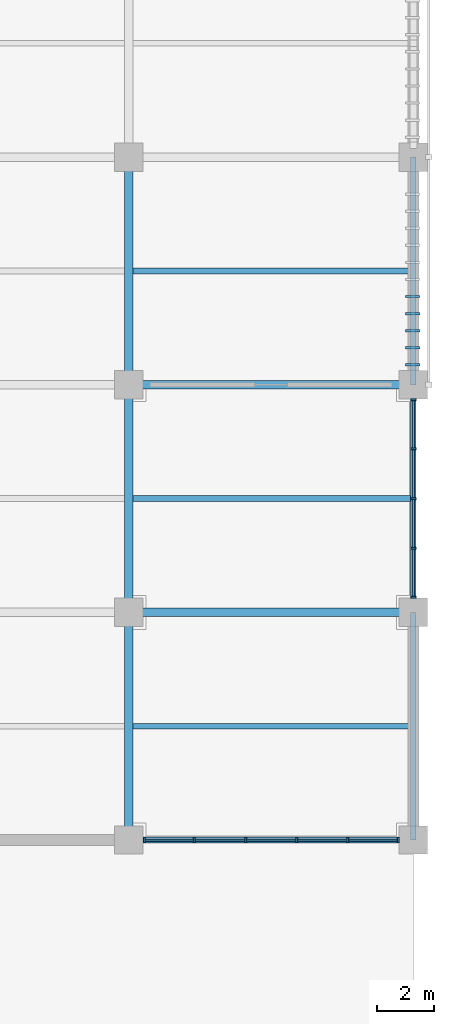
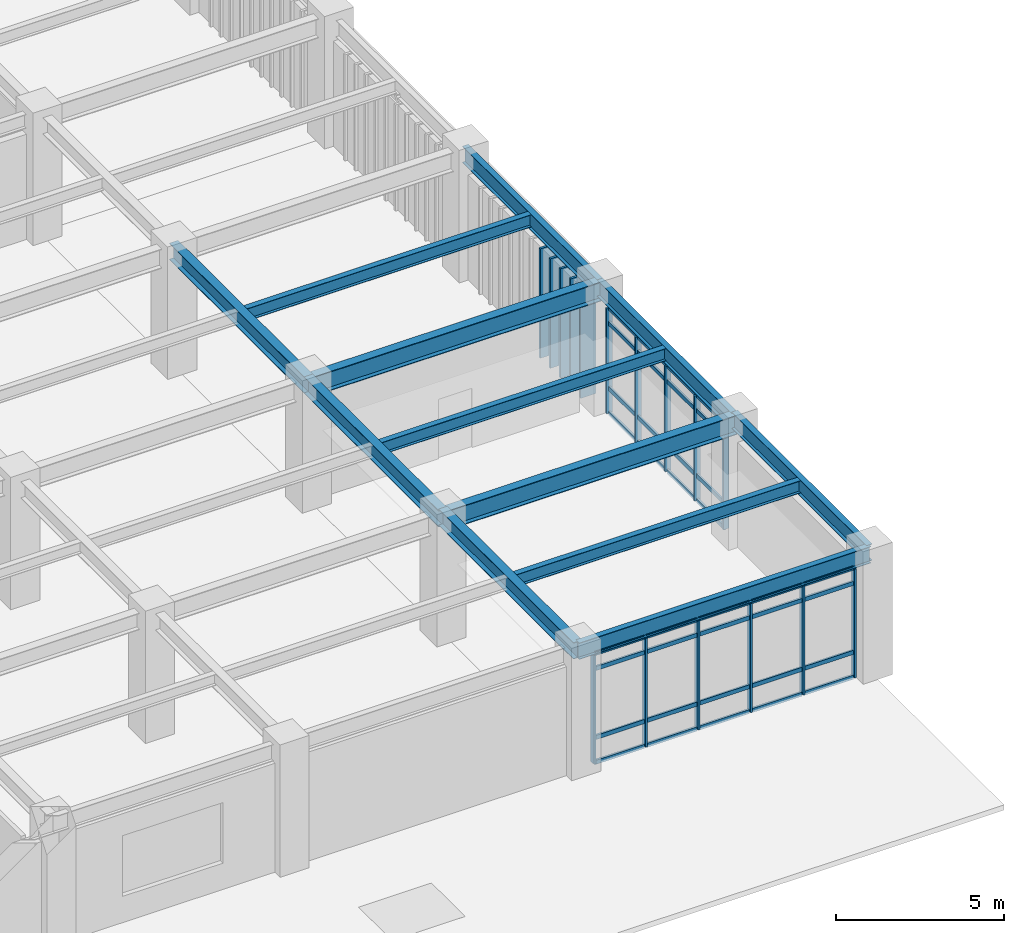
# One storey, part 33 of 117: 52 members, 12 beams, 2 elements without a shape of their own.
"""IFC4 building model written with IfcOpenShell, lengths in metres."""

from ifc_helpers import new_model, si_unit, direction, frame, origin, origin_2d, place, context, subcontext, project, spatial, rectangle, i_section, extrude, material, layer, layer_set, material_profile, profile_set, type_object, element, aggregate, save


model = new_model("IFC4")

# Units and contexts
model_context = context("Model", 3, precision=1e-05, world=origin(), true_north=direction((0.0, 1.0)))
body_context = subcontext(model_context, "Body", "Model", "MODEL_VIEW")
ifc_project = project(units=[si_unit("LENGTHUNIT", "METRE"), si_unit("AREAUNIT", "SQUARE_METRE"), si_unit("VOLUMEUNIT", "CUBIC_METRE"), si_unit("PLANEANGLEUNIT", "RADIAN"), si_unit("MASSUNIT", "GRAM", prefix="KILO")], contexts=[model_context])

# Site, building, storey
site_placement = place(None, origin())
site = spatial("IfcSite", under=ifc_project, at=site_placement, CompositionType="ELEMENT")
building_placement = place(site_placement, origin())
building = spatial("IfcBuilding", under=site, at=building_placement, Name="Haebicheon Civic Stadium", CompositionType="ELEMENT")
storey_placement = place(building_placement, frame((0.0, 0.0, 4.800048828125)))
storey = spatial("IfcBuildingStorey", under=building, at=storey_placement, Name="L02", CompositionType="ELEMENT", Elevation=4.800048828125)

# Beams
ifc_material_1 = material(Name="Steel SM355 (S355)", Category="steel")
ifc_material_profile_1 = material_profile(ifc_material_1, i_section(OverallWidth=0.300048828125, OverallDepth=0.60009765625, WebThickness=0.011962890625, FlangeThickness=0.02001953125, at=origin_2d()), Name="H-600x300x12x20")
ifc_profile_set_1 = profile_set([ifc_material_profile_1], Name="Steel SM355 (S355)")
beam_type_1 = type_object("IfcBeamType", Name="BM-ST-H600A", PredefinedType="BEAM", material=ifc_profile_set_1)
for number, where, z_axis, x_axis, name in (
    (1, (226.0, 32.0, 4.280029296875), (0.0, 1.0, 0.0), (-1.0, 0.0, 0.0), "L02 girder 29/E-F"),
    (2, (226.0, 40.0, 4.219970703125), (0.0, 1.0, 0.0), (-1.0, 0.0, 0.0), "L02 girder 29/F-G"),
    (3, (226.0, 48.0, 4.219970703125), (0.0, 1.0, 0.0), (-1.0, 0.0, 0.0), "L02 girder 29/G-H"),
):
    element("IfcBeam", number, at=place(storey_placement, frame(where, z_axis=z_axis, x_axis=x_axis)), inside=storey, type_object=beam_type_1, material=ifc_profile_set_1, Name=name, PredefinedType="BEAM", context=body_context, shape_type="SweptSolid", body=[
        extrude(i_section(OverallWidth=0.300048828125, OverallDepth=0.60009765625, WebThickness=0.011962890625, FlangeThickness=0.02001953125, at=origin_2d()), origin(), (0.0, 0.0, 1.0), 8.0),
    ])
ifc_material_2 = material(Name="Steel SM490", Category="steel")
ifc_material_profile_2 = material_profile(ifc_material_2, i_section(OverallWidth=0.300048828125, OverallDepth=0.699951171875, WebThickness=0.012939453125, FlangeThickness=0.02392578125, at=origin_2d()), Name="H-700x300x13x24")
ifc_profile_set_2 = profile_set([ifc_material_profile_2], Name="Steel SM490")
beam_type_2 = type_object("IfcBeamType", Name="BM-ST-H700", PredefinedType="BEAM", material=ifc_profile_set_2)
for number, where, z_axis, x_axis, name in (
    (4, (226.0, 40.0, 4.169921875), (1.0, 0.0, 0.0), (0.0, 1.0, 0.0), "L02 beam F/29-30"),
    (5, (226.0, 48.0, 4.169921875), (1.0, 0.0, 0.0), (0.0, 1.0, 0.0), "L02 beam G/29-30"),
):
    element("IfcBeam", number, at=place(storey_placement, frame(where, z_axis=z_axis, x_axis=x_axis)), inside=storey, type_object=beam_type_2, material=ifc_profile_set_2, Name=name, PredefinedType="BEAM", context=body_context, shape_type="SweptSolid", body=[
        extrude(i_section(OverallWidth=0.300048828125, OverallDepth=0.699951171875, WebThickness=0.012939453125, FlangeThickness=0.02392578125, at=origin_2d()), origin(), (0.0, 0.0, 1.0), 10.0),
    ])

# Curtain wall, members
ifc_material_3 = material(Name="Anodised aluminium and laminated glass", Category="aluminium")
ifc_layer_1 = layer(ifc_material_3, 0.179931640625, Name="Anodised aluminium and laminated glass")
ifc_layer_set_1 = layer_set([ifc_layer_1], Name="Anodised aluminium and laminated glass")
curtain_wall_type_1 = type_object("IfcCurtainWallType", Name="CW-9000x3950", PredefinedType="NOTDEFINED", material=ifc_layer_set_1)
curtain_wall_1_placement = place(storey_placement, origin())
curtain_wall_1 = element("IfcCurtainWall", 6, at=curtain_wall_1_placement, inside=storey, type_object=curtain_wall_type_1, material=ifc_layer_set_1, Name="L02 unitised curtain wall 064", PredefinedType="NOTDEFINED")
ifc_material_4 = material(Name="Anodised aluminium 6063-T6", Category="aluminium")
ifc_material_profile_3 = material_profile(ifc_material_4, rectangle(XDim=0.070068359375, YDim=0.199951171875, at=origin_2d()), Name="ALU-MULL-70x200")
ifc_profile_set_3 = profile_set([ifc_material_profile_3], Name="Anodised aluminium 6063-T6")
member_type_1 = type_object("IfcMemberType", Name="CWM-200x70", PredefinedType="MULLION", material=ifc_profile_set_3)
member_1_placement = place(storey_placement, frame((226.534912109375, 32.0, 0.0), z_axis=(0.0, 0.0, 1.0), x_axis=(1.0, 0.0, 0.0)))
member_1 = element("IfcMember", 7, at=member_1_placement, type_object=member_type_1, material=ifc_profile_set_3, Name="CW-L02-064 vertical mullion 1", PredefinedType="MULLION", context=body_context, shape_type="SweptSolid", body=[
    extrude(rectangle(XDim=0.070068359375, YDim=0.199951171875, at=origin_2d()), origin(), (0.0, 0.0, 1.0), 3.949951171875),
])
member_2_placement = place(storey_placement, frame((228.300048828125, 32.0, 0.0), z_axis=(0.0, 0.0, 1.0), x_axis=(1.0, 0.0, 0.0)))
member_2 = element("IfcMember", 8, at=member_2_placement, type_object=member_type_1, material=ifc_profile_set_3, Name="CW-L02-064 vertical mullion 2", PredefinedType="MULLION", context=body_context, shape_type="SweptSolid", body=[
    extrude(rectangle(XDim=0.070068359375, YDim=0.199951171875, at=origin_2d()), origin(), (0.0, 0.0, 1.0), 3.949951171875),
])
member_3_placement = place(storey_placement, frame((230.10009765625, 32.0, 0.0), z_axis=(0.0, 0.0, 1.0), x_axis=(1.0, 0.0, 0.0)))
member_3 = element("IfcMember", 9, at=member_3_placement, type_object=member_type_1, material=ifc_profile_set_3, Name="CW-L02-064 vertical mullion 3", PredefinedType="MULLION", context=body_context, shape_type="SweptSolid", body=[
    extrude(rectangle(XDim=0.070068359375, YDim=0.199951171875, at=origin_2d()), origin(), (0.0, 0.0, 1.0), 3.949951171875),
])
member_4_placement = place(storey_placement, frame((231.89990234375, 32.0, 0.0), z_axis=(0.0, 0.0, 1.0), x_axis=(1.0, 0.0, 0.0)))
member_4 = element("IfcMember", 10, at=member_4_placement, type_object=member_type_1, material=ifc_profile_set_3, Name="CW-L02-064 vertical mullion 4", PredefinedType="MULLION", context=body_context, shape_type="SweptSolid", body=[
    extrude(rectangle(XDim=0.070068359375, YDim=0.199951171875, at=origin_2d()), origin(), (0.0, 0.0, 1.0), 3.949951171875),
])
member_5_placement = place(storey_placement, frame((233.699951171875, 32.0, 0.0), z_axis=(0.0, 0.0, 1.0), x_axis=(1.0, 0.0, 0.0)))
member_5 = element("IfcMember", 11, at=member_5_placement, type_object=member_type_1, material=ifc_profile_set_3, Name="CW-L02-064 vertical mullion 5", PredefinedType="MULLION", context=body_context, shape_type="SweptSolid", body=[
    extrude(rectangle(XDim=0.070068359375, YDim=0.199951171875, at=origin_2d()), origin(), (0.0, 0.0, 1.0), 3.949951171875),
])
member_6_placement = place(storey_placement, frame((235.465087890625, 32.0, 0.0), z_axis=(0.0, 0.0, 1.0), x_axis=(1.0, 0.0, 0.0)))
member_6 = element("IfcMember", 12, at=member_6_placement, type_object=member_type_1, material=ifc_profile_set_3, Name="CW-L02-064 vertical mullion 6", PredefinedType="MULLION", context=body_context, shape_type="SweptSolid", body=[
    extrude(rectangle(XDim=0.070068359375, YDim=0.199951171875, at=origin_2d()), origin(), (0.0, 0.0, 1.0), 3.949951171875),
])

ifc_material_5 = material(Name="Anodised aluminium and laminated glass", Category="aluminium")
ifc_layer_2 = layer(ifc_material_5, 0.179931640625, Name="Anodised aluminium and laminated glass")
ifc_layer_set_2 = layer_set([ifc_layer_2], Name="Anodised aluminium and laminated glass")
curtain_wall_type_2 = type_object("IfcCurtainWallType", Name="CW-7000x3810", PredefinedType="NOTDEFINED", material=ifc_layer_set_2)
curtain_wall_2_placement = place(storey_placement, origin())
curtain_wall_2 = element("IfcCurtainWall", 13, at=curtain_wall_2_placement, inside=storey, type_object=curtain_wall_type_2, material=ifc_layer_set_2, Name="L02 unitised curtain wall 065", PredefinedType="NOTDEFINED")
member_7_placement = place(storey_placement, frame((236.0, 40.534912109375, 0.0), z_axis=(0.0, 0.0, 1.0), x_axis=(0.0, 1.0, 0.0)))
member_7 = element("IfcMember", 14, at=member_7_placement, type_object=member_type_1, material=ifc_profile_set_3, Name="CW-L02-065 vertical mullion 1", PredefinedType="MULLION", context=body_context, shape_type="SweptSolid", body=[
    extrude(rectangle(XDim=0.070068359375, YDim=0.199951171875, at=origin_2d()), origin(), (0.0, 0.0, 1.0), 3.81005859375),
])
member_8_placement = place(storey_placement, frame((236.0, 42.25, 0.0), z_axis=(0.0, 0.0, 1.0), x_axis=(0.0, 1.0, 0.0)))
member_8 = element("IfcMember", 15, at=member_8_placement, type_object=member_type_1, material=ifc_profile_set_3, Name="CW-L02-065 vertical mullion 2", PredefinedType="MULLION", context=body_context, shape_type="SweptSolid", body=[
    extrude(rectangle(XDim=0.070068359375, YDim=0.199951171875, at=origin_2d()), origin(), (0.0, 0.0, 1.0), 3.81005859375),
])
member_9_placement = place(storey_placement, frame((236.0, 44.0, 0.0), z_axis=(0.0, 0.0, 1.0), x_axis=(0.0, 1.0, 0.0)))
member_9 = element("IfcMember", 16, at=member_9_placement, type_object=member_type_1, material=ifc_profile_set_3, Name="CW-L02-065 vertical mullion 3", PredefinedType="MULLION", context=body_context, shape_type="SweptSolid", body=[
    extrude(rectangle(XDim=0.070068359375, YDim=0.199951171875, at=origin_2d()), origin(), (0.0, 0.0, 1.0), 3.81005859375),
])
member_10_placement = place(storey_placement, frame((236.0, 45.75, 0.0), z_axis=(0.0, 0.0, 1.0), x_axis=(0.0, 1.0, 0.0)))
member_10 = element("IfcMember", 17, at=member_10_placement, type_object=member_type_1, material=ifc_profile_set_3, Name="CW-L02-065 vertical mullion 4", PredefinedType="MULLION", context=body_context, shape_type="SweptSolid", body=[
    extrude(rectangle(XDim=0.070068359375, YDim=0.199951171875, at=origin_2d()), origin(), (0.0, 0.0, 1.0), 3.81005859375),
])
member_11_placement = place(storey_placement, frame((236.0, 47.465087890625, 0.0), z_axis=(0.0, 0.0, 1.0), x_axis=(0.0, 1.0, 0.0)))
member_11 = element("IfcMember", 18, at=member_11_placement, type_object=member_type_1, material=ifc_profile_set_3, Name="CW-L02-065 vertical mullion 5", PredefinedType="MULLION", context=body_context, shape_type="SweptSolid", body=[
    extrude(rectangle(XDim=0.070068359375, YDim=0.199951171875, at=origin_2d()), origin(), (0.0, 0.0, 1.0), 3.81005859375),
])

# Member
ifc_material_6 = material(Name="Anodised aluminium 6063-T6", Category="aluminium")
ifc_material_profile_4 = material_profile(ifc_material_6, rectangle(XDim=0.070068359375, YDim=0.14990234375, at=origin_2d()), Name="ALU-TRAN-70x150")
ifc_profile_set_4 = profile_set([ifc_material_profile_4], Name="Anodised aluminium 6063-T6")
member_type_2 = type_object("IfcMemberType", Name="CWT-150x70", PredefinedType="NOTDEFINED", material=ifc_profile_set_4)
member_12_placement = place(storey_placement, frame((226.570068359375, 32.0, 0.0), z_axis=(1.0, 0.0, 0.0), x_axis=(0.0, 1.0, 0.0)))
member_12 = element("IfcMember", 19, at=member_12_placement, type_object=member_type_2, material=ifc_profile_set_4, Name="CW-L02-064 horizontal transom 1.1", ObjectType="TRANSOM", PredefinedType="USERDEFINED", context=body_context, shape_type="SweptSolid", body=[
    extrude(rectangle(XDim=0.070068359375, YDim=0.14990234375, at=origin_2d()), origin(), (0.0, 0.0, 1.0), 1.69482421875),
])

member_13_placement = place(storey_placement, frame((226.570068359375, 32.0, 0.89990234375), z_axis=(1.0, 0.0, 0.0), x_axis=(0.0, 1.0, 0.0)))
member_13 = element("IfcMember", 20, at=member_13_placement, type_object=member_type_2, material=ifc_profile_set_4, Name="CW-L02-064 horizontal transom 1.2", ObjectType="TRANSOM", PredefinedType="USERDEFINED", context=body_context, shape_type="SweptSolid", body=[
    extrude(rectangle(XDim=0.070068359375, YDim=0.14990234375, at=origin_2d()), origin(), (0.0, 0.0, 1.0), 1.69482421875),
])

member_14_placement = place(storey_placement, frame((226.570068359375, 32.0, 3.39990234375), z_axis=(1.0, 0.0, 0.0), x_axis=(0.0, 1.0, 0.0)))
member_14 = element("IfcMember", 21, at=member_14_placement, type_object=member_type_2, material=ifc_profile_set_4, Name="CW-L02-064 horizontal transom 1.3", ObjectType="TRANSOM", PredefinedType="USERDEFINED", context=body_context, shape_type="SweptSolid", body=[
    extrude(rectangle(XDim=0.070068359375, YDim=0.14990234375, at=origin_2d()), origin(), (0.0, 0.0, 1.0), 1.69482421875),
])

member_15_placement = place(storey_placement, frame((226.570068359375, 32.0, 3.949951171875), z_axis=(1.0, 0.0, 0.0), x_axis=(0.0, 1.0, 0.0)))
member_15 = element("IfcMember", 22, at=member_15_placement, type_object=member_type_2, material=ifc_profile_set_4, Name="CW-L02-064 horizontal transom 1.4", ObjectType="TRANSOM", PredefinedType="USERDEFINED", context=body_context, shape_type="SweptSolid", body=[
    extrude(rectangle(XDim=0.070068359375, YDim=0.14990234375, at=origin_2d()), origin(), (0.0, 0.0, 1.0), 1.69482421875),
])

member_16_placement = place(storey_placement, frame((228.3349609375, 32.0, 0.0), z_axis=(1.0, 0.0, 0.0), x_axis=(0.0, 1.0, 0.0)))
member_16 = element("IfcMember", 23, at=member_16_placement, type_object=member_type_2, material=ifc_profile_set_4, Name="CW-L02-064 horizontal transom 2.1", ObjectType="TRANSOM", PredefinedType="USERDEFINED", context=body_context, shape_type="SweptSolid", body=[
    extrude(rectangle(XDim=0.070068359375, YDim=0.14990234375, at=origin_2d()), origin(), (0.0, 0.0, 1.0), 1.72998046875),
])

member_17_placement = place(storey_placement, frame((228.3349609375, 32.0, 0.89990234375), z_axis=(1.0, 0.0, 0.0), x_axis=(0.0, 1.0, 0.0)))
member_17 = element("IfcMember", 24, at=member_17_placement, type_object=member_type_2, material=ifc_profile_set_4, Name="CW-L02-064 horizontal transom 2.2", ObjectType="TRANSOM", PredefinedType="USERDEFINED", context=body_context, shape_type="SweptSolid", body=[
    extrude(rectangle(XDim=0.070068359375, YDim=0.14990234375, at=origin_2d()), origin(), (0.0, 0.0, 1.0), 1.72998046875),
])

member_18_placement = place(storey_placement, frame((228.3349609375, 32.0, 3.39990234375), z_axis=(1.0, 0.0, 0.0), x_axis=(0.0, 1.0, 0.0)))
member_18 = element("IfcMember", 25, at=member_18_placement, type_object=member_type_2, material=ifc_profile_set_4, Name="CW-L02-064 horizontal transom 2.3", ObjectType="TRANSOM", PredefinedType="USERDEFINED", context=body_context, shape_type="SweptSolid", body=[
    extrude(rectangle(XDim=0.070068359375, YDim=0.14990234375, at=origin_2d()), origin(), (0.0, 0.0, 1.0), 1.72998046875),
])

member_19_placement = place(storey_placement, frame((228.3349609375, 32.0, 3.949951171875), z_axis=(1.0, 0.0, 0.0), x_axis=(0.0, 1.0, 0.0)))
member_19 = element("IfcMember", 26, at=member_19_placement, type_object=member_type_2, material=ifc_profile_set_4, Name="CW-L02-064 horizontal transom 2.4", ObjectType="TRANSOM", PredefinedType="USERDEFINED", context=body_context, shape_type="SweptSolid", body=[
    extrude(rectangle(XDim=0.070068359375, YDim=0.14990234375, at=origin_2d()), origin(), (0.0, 0.0, 1.0), 1.72998046875),
])

member_20_placement = place(storey_placement, frame((230.135009765625, 32.0, 0.0), z_axis=(1.0, 0.0, 0.0), x_axis=(0.0, 1.0, 0.0)))
member_20 = element("IfcMember", 27, at=member_20_placement, type_object=member_type_2, material=ifc_profile_set_4, Name="CW-L02-064 horizontal transom 3.1", ObjectType="TRANSOM", PredefinedType="USERDEFINED", context=body_context, shape_type="SweptSolid", body=[
    extrude(rectangle(XDim=0.070068359375, YDim=0.14990234375, at=origin_2d()), origin(), (0.0, 0.0, 1.0), 1.72998046875),
])

member_21_placement = place(storey_placement, frame((230.135009765625, 32.0, 0.89990234375), z_axis=(1.0, 0.0, 0.0), x_axis=(0.0, 1.0, 0.0)))
member_21 = element("IfcMember", 28, at=member_21_placement, type_object=member_type_2, material=ifc_profile_set_4, Name="CW-L02-064 horizontal transom 3.2", ObjectType="TRANSOM", PredefinedType="USERDEFINED", context=body_context, shape_type="SweptSolid", body=[
    extrude(rectangle(XDim=0.070068359375, YDim=0.14990234375, at=origin_2d()), origin(), (0.0, 0.0, 1.0), 1.72998046875),
])

member_22_placement = place(storey_placement, frame((230.135009765625, 32.0, 3.39990234375), z_axis=(1.0, 0.0, 0.0), x_axis=(0.0, 1.0, 0.0)))
member_22 = element("IfcMember", 29, at=member_22_placement, type_object=member_type_2, material=ifc_profile_set_4, Name="CW-L02-064 horizontal transom 3.3", ObjectType="TRANSOM", PredefinedType="USERDEFINED", context=body_context, shape_type="SweptSolid", body=[
    extrude(rectangle(XDim=0.070068359375, YDim=0.14990234375, at=origin_2d()), origin(), (0.0, 0.0, 1.0), 1.72998046875),
])

member_23_placement = place(storey_placement, frame((230.135009765625, 32.0, 3.949951171875), z_axis=(1.0, 0.0, 0.0), x_axis=(0.0, 1.0, 0.0)))
member_23 = element("IfcMember", 30, at=member_23_placement, type_object=member_type_2, material=ifc_profile_set_4, Name="CW-L02-064 horizontal transom 3.4", ObjectType="TRANSOM", PredefinedType="USERDEFINED", context=body_context, shape_type="SweptSolid", body=[
    extrude(rectangle(XDim=0.070068359375, YDim=0.14990234375, at=origin_2d()), origin(), (0.0, 0.0, 1.0), 1.72998046875),
])

member_24_placement = place(storey_placement, frame((231.93505859375, 32.0, 0.0), z_axis=(1.0, 0.0, 0.0), x_axis=(0.0, 1.0, 0.0)))
member_24 = element("IfcMember", 31, at=member_24_placement, type_object=member_type_2, material=ifc_profile_set_4, Name="CW-L02-064 horizontal transom 4.1", ObjectType="TRANSOM", PredefinedType="USERDEFINED", context=body_context, shape_type="SweptSolid", body=[
    extrude(rectangle(XDim=0.070068359375, YDim=0.14990234375, at=origin_2d()), origin(), (0.0, 0.0, 1.0), 1.72998046875),
])

member_25_placement = place(storey_placement, frame((231.93505859375, 32.0, 0.89990234375), z_axis=(1.0, 0.0, 0.0), x_axis=(0.0, 1.0, 0.0)))
member_25 = element("IfcMember", 32, at=member_25_placement, type_object=member_type_2, material=ifc_profile_set_4, Name="CW-L02-064 horizontal transom 4.2", ObjectType="TRANSOM", PredefinedType="USERDEFINED", context=body_context, shape_type="SweptSolid", body=[
    extrude(rectangle(XDim=0.070068359375, YDim=0.14990234375, at=origin_2d()), origin(), (0.0, 0.0, 1.0), 1.72998046875),
])

member_26_placement = place(storey_placement, frame((231.93505859375, 32.0, 3.39990234375), z_axis=(1.0, 0.0, 0.0), x_axis=(0.0, 1.0, 0.0)))
member_26 = element("IfcMember", 33, at=member_26_placement, type_object=member_type_2, material=ifc_profile_set_4, Name="CW-L02-064 horizontal transom 4.3", ObjectType="TRANSOM", PredefinedType="USERDEFINED", context=body_context, shape_type="SweptSolid", body=[
    extrude(rectangle(XDim=0.070068359375, YDim=0.14990234375, at=origin_2d()), origin(), (0.0, 0.0, 1.0), 1.72998046875),
])

member_27_placement = place(storey_placement, frame((231.93505859375, 32.0, 3.949951171875), z_axis=(1.0, 0.0, 0.0), x_axis=(0.0, 1.0, 0.0)))
member_27 = element("IfcMember", 34, at=member_27_placement, type_object=member_type_2, material=ifc_profile_set_4, Name="CW-L02-064 horizontal transom 4.4", ObjectType="TRANSOM", PredefinedType="USERDEFINED", context=body_context, shape_type="SweptSolid", body=[
    extrude(rectangle(XDim=0.070068359375, YDim=0.14990234375, at=origin_2d()), origin(), (0.0, 0.0, 1.0), 1.72998046875),
])

member_28_placement = place(storey_placement, frame((233.735107421875, 32.0, 0.0), z_axis=(1.0, 0.0, 0.0), x_axis=(0.0, 1.0, 0.0)))
member_28 = element("IfcMember", 35, at=member_28_placement, type_object=member_type_2, material=ifc_profile_set_4, Name="CW-L02-064 horizontal transom 5.1", ObjectType="TRANSOM", PredefinedType="USERDEFINED", context=body_context, shape_type="SweptSolid", body=[
    extrude(rectangle(XDim=0.070068359375, YDim=0.14990234375, at=origin_2d()), origin(), (0.0, 0.0, 1.0), 1.69482421875),
])

member_29_placement = place(storey_placement, frame((233.735107421875, 32.0, 0.89990234375), z_axis=(1.0, 0.0, 0.0), x_axis=(0.0, 1.0, 0.0)))
member_29 = element("IfcMember", 36, at=member_29_placement, type_object=member_type_2, material=ifc_profile_set_4, Name="CW-L02-064 horizontal transom 5.2", ObjectType="TRANSOM", PredefinedType="USERDEFINED", context=body_context, shape_type="SweptSolid", body=[
    extrude(rectangle(XDim=0.070068359375, YDim=0.14990234375, at=origin_2d()), origin(), (0.0, 0.0, 1.0), 1.69482421875),
])

member_30_placement = place(storey_placement, frame((233.735107421875, 32.0, 3.39990234375), z_axis=(1.0, 0.0, 0.0), x_axis=(0.0, 1.0, 0.0)))
member_30 = element("IfcMember", 37, at=member_30_placement, type_object=member_type_2, material=ifc_profile_set_4, Name="CW-L02-064 horizontal transom 5.3", ObjectType="TRANSOM", PredefinedType="USERDEFINED", context=body_context, shape_type="SweptSolid", body=[
    extrude(rectangle(XDim=0.070068359375, YDim=0.14990234375, at=origin_2d()), origin(), (0.0, 0.0, 1.0), 1.69482421875),
])

member_31_placement = place(storey_placement, frame((233.735107421875, 32.0, 3.949951171875), z_axis=(1.0, 0.0, 0.0), x_axis=(0.0, 1.0, 0.0)))
member_31 = element("IfcMember", 38, at=member_31_placement, type_object=member_type_2, material=ifc_profile_set_4, Name="CW-L02-064 horizontal transom 5.4", ObjectType="TRANSOM", PredefinedType="USERDEFINED", context=body_context, shape_type="SweptSolid", body=[
    extrude(rectangle(XDim=0.070068359375, YDim=0.14990234375, at=origin_2d()), origin(), (0.0, 0.0, 1.0), 1.69482421875),
])

aggregate(curtain_wall_1, [member_1, member_2, member_3, member_4, member_5, member_6, member_12, member_13, member_14, member_15, member_16, member_17, member_18, member_19, member_20, member_21, member_22, member_23, member_24, member_25, member_26, member_27, member_28, member_29, member_30, member_31])

member_32_placement = place(storey_placement, frame((236.0, 40.570068359375, 0.0), z_axis=(0.0, 1.0, 0.0), x_axis=(-1.0, 0.0, 0.0)))
member_32 = element("IfcMember", 39, at=member_32_placement, type_object=member_type_2, material=ifc_profile_set_4, Name="CW-L02-065 horizontal transom 1.1", ObjectType="TRANSOM", PredefinedType="USERDEFINED", context=body_context, shape_type="SweptSolid", body=[
    extrude(rectangle(XDim=0.070068359375, YDim=0.14990234375, at=origin_2d()), origin(), (0.0, 0.0, 1.0), 1.64501953125),
])

member_33_placement = place(storey_placement, frame((236.0, 40.570068359375, 0.89990234375), z_axis=(0.0, 1.0, 0.0), x_axis=(-1.0, 0.0, 0.0)))
member_33 = element("IfcMember", 40, at=member_33_placement, type_object=member_type_2, material=ifc_profile_set_4, Name="CW-L02-065 horizontal transom 1.2", ObjectType="TRANSOM", PredefinedType="USERDEFINED", context=body_context, shape_type="SweptSolid", body=[
    extrude(rectangle(XDim=0.070068359375, YDim=0.14990234375, at=origin_2d()), origin(), (0.0, 0.0, 1.0), 1.64501953125),
])

member_34_placement = place(storey_placement, frame((236.0, 40.570068359375, 3.260009765625), z_axis=(0.0, 1.0, 0.0), x_axis=(-1.0, 0.0, 0.0)))
member_34 = element("IfcMember", 41, at=member_34_placement, type_object=member_type_2, material=ifc_profile_set_4, Name="CW-L02-065 horizontal transom 1.3", ObjectType="TRANSOM", PredefinedType="USERDEFINED", context=body_context, shape_type="SweptSolid", body=[
    extrude(rectangle(XDim=0.070068359375, YDim=0.14990234375, at=origin_2d()), origin(), (0.0, 0.0, 1.0), 1.64501953125),
])

member_35_placement = place(storey_placement, frame((236.0, 40.570068359375, 3.81005859375), z_axis=(0.0, 1.0, 0.0), x_axis=(-1.0, 0.0, 0.0)))
member_35 = element("IfcMember", 42, at=member_35_placement, type_object=member_type_2, material=ifc_profile_set_4, Name="CW-L02-065 horizontal transom 1.4", ObjectType="TRANSOM", PredefinedType="USERDEFINED", context=body_context, shape_type="SweptSolid", body=[
    extrude(rectangle(XDim=0.070068359375, YDim=0.14990234375, at=origin_2d()), origin(), (0.0, 0.0, 1.0), 1.64501953125),
])

member_36_placement = place(storey_placement, frame((236.0, 42.284912109375, 0.0), z_axis=(0.0, 1.0, 0.0), x_axis=(-1.0, 0.0, 0.0)))
member_36 = element("IfcMember", 43, at=member_36_placement, type_object=member_type_2, material=ifc_profile_set_4, Name="CW-L02-065 horizontal transom 2.1", ObjectType="TRANSOM", PredefinedType="USERDEFINED", context=body_context, shape_type="SweptSolid", body=[
    extrude(rectangle(XDim=0.070068359375, YDim=0.14990234375, at=origin_2d()), origin(), (0.0, 0.0, 1.0), 1.68017578125),
])

member_37_placement = place(storey_placement, frame((236.0, 42.284912109375, 0.89990234375), z_axis=(0.0, 1.0, 0.0), x_axis=(-1.0, 0.0, 0.0)))
member_37 = element("IfcMember", 44, at=member_37_placement, type_object=member_type_2, material=ifc_profile_set_4, Name="CW-L02-065 horizontal transom 2.2", ObjectType="TRANSOM", PredefinedType="USERDEFINED", context=body_context, shape_type="SweptSolid", body=[
    extrude(rectangle(XDim=0.070068359375, YDim=0.14990234375, at=origin_2d()), origin(), (0.0, 0.0, 1.0), 1.68017578125),
])

member_38_placement = place(storey_placement, frame((236.0, 42.284912109375, 3.260009765625), z_axis=(0.0, 1.0, 0.0), x_axis=(-1.0, 0.0, 0.0)))
member_38 = element("IfcMember", 45, at=member_38_placement, type_object=member_type_2, material=ifc_profile_set_4, Name="CW-L02-065 horizontal transom 2.3", ObjectType="TRANSOM", PredefinedType="USERDEFINED", context=body_context, shape_type="SweptSolid", body=[
    extrude(rectangle(XDim=0.070068359375, YDim=0.14990234375, at=origin_2d()), origin(), (0.0, 0.0, 1.0), 1.68017578125),
])

member_39_placement = place(storey_placement, frame((236.0, 42.284912109375, 3.81005859375), z_axis=(0.0, 1.0, 0.0), x_axis=(-1.0, 0.0, 0.0)))
member_39 = element("IfcMember", 46, at=member_39_placement, type_object=member_type_2, material=ifc_profile_set_4, Name="CW-L02-065 horizontal transom 2.4", ObjectType="TRANSOM", PredefinedType="USERDEFINED", context=body_context, shape_type="SweptSolid", body=[
    extrude(rectangle(XDim=0.070068359375, YDim=0.14990234375, at=origin_2d()), origin(), (0.0, 0.0, 1.0), 1.68017578125),
])

member_40_placement = place(storey_placement, frame((236.0, 44.034912109375, 0.0), z_axis=(0.0, 1.0, 0.0), x_axis=(-1.0, 0.0, 0.0)))
member_40 = element("IfcMember", 47, at=member_40_placement, type_object=member_type_2, material=ifc_profile_set_4, Name="CW-L02-065 horizontal transom 3.1", ObjectType="TRANSOM", PredefinedType="USERDEFINED", context=body_context, shape_type="SweptSolid", body=[
    extrude(rectangle(XDim=0.070068359375, YDim=0.14990234375, at=origin_2d()), origin(), (0.0, 0.0, 1.0), 1.68017578125),
])

member_41_placement = place(storey_placement, frame((236.0, 44.034912109375, 0.89990234375), z_axis=(0.0, 1.0, 0.0), x_axis=(-1.0, 0.0, 0.0)))
member_41 = element("IfcMember", 48, at=member_41_placement, type_object=member_type_2, material=ifc_profile_set_4, Name="CW-L02-065 horizontal transom 3.2", ObjectType="TRANSOM", PredefinedType="USERDEFINED", context=body_context, shape_type="SweptSolid", body=[
    extrude(rectangle(XDim=0.070068359375, YDim=0.14990234375, at=origin_2d()), origin(), (0.0, 0.0, 1.0), 1.68017578125),
])

member_42_placement = place(storey_placement, frame((236.0, 44.034912109375, 3.260009765625), z_axis=(0.0, 1.0, 0.0), x_axis=(-1.0, 0.0, 0.0)))
member_42 = element("IfcMember", 49, at=member_42_placement, type_object=member_type_2, material=ifc_profile_set_4, Name="CW-L02-065 horizontal transom 3.3", ObjectType="TRANSOM", PredefinedType="USERDEFINED", context=body_context, shape_type="SweptSolid", body=[
    extrude(rectangle(XDim=0.070068359375, YDim=0.14990234375, at=origin_2d()), origin(), (0.0, 0.0, 1.0), 1.68017578125),
])

member_43_placement = place(storey_placement, frame((236.0, 44.034912109375, 3.81005859375), z_axis=(0.0, 1.0, 0.0), x_axis=(-1.0, 0.0, 0.0)))
member_43 = element("IfcMember", 50, at=member_43_placement, type_object=member_type_2, material=ifc_profile_set_4, Name="CW-L02-065 horizontal transom 3.4", ObjectType="TRANSOM", PredefinedType="USERDEFINED", context=body_context, shape_type="SweptSolid", body=[
    extrude(rectangle(XDim=0.070068359375, YDim=0.14990234375, at=origin_2d()), origin(), (0.0, 0.0, 1.0), 1.68017578125),
])

member_44_placement = place(storey_placement, frame((236.0, 45.784912109375, 0.0), z_axis=(0.0, 1.0, 0.0), x_axis=(-1.0, 0.0, 0.0)))
member_44 = element("IfcMember", 51, at=member_44_placement, type_object=member_type_2, material=ifc_profile_set_4, Name="CW-L02-065 horizontal transom 4.1", ObjectType="TRANSOM", PredefinedType="USERDEFINED", context=body_context, shape_type="SweptSolid", body=[
    extrude(rectangle(XDim=0.070068359375, YDim=0.14990234375, at=origin_2d()), origin(), (0.0, 0.0, 1.0), 1.64501953125),
])

member_45_placement = place(storey_placement, frame((236.0, 45.784912109375, 0.89990234375), z_axis=(0.0, 1.0, 0.0), x_axis=(-1.0, 0.0, 0.0)))
member_45 = element("IfcMember", 52, at=member_45_placement, type_object=member_type_2, material=ifc_profile_set_4, Name="CW-L02-065 horizontal transom 4.2", ObjectType="TRANSOM", PredefinedType="USERDEFINED", context=body_context, shape_type="SweptSolid", body=[
    extrude(rectangle(XDim=0.070068359375, YDim=0.14990234375, at=origin_2d()), origin(), (0.0, 0.0, 1.0), 1.64501953125),
])

member_46_placement = place(storey_placement, frame((236.0, 45.784912109375, 3.260009765625), z_axis=(0.0, 1.0, 0.0), x_axis=(-1.0, 0.0, 0.0)))
member_46 = element("IfcMember", 53, at=member_46_placement, type_object=member_type_2, material=ifc_profile_set_4, Name="CW-L02-065 horizontal transom 4.3", ObjectType="TRANSOM", PredefinedType="USERDEFINED", context=body_context, shape_type="SweptSolid", body=[
    extrude(rectangle(XDim=0.070068359375, YDim=0.14990234375, at=origin_2d()), origin(), (0.0, 0.0, 1.0), 1.64501953125),
])

member_47_placement = place(storey_placement, frame((236.0, 45.784912109375, 3.81005859375), z_axis=(0.0, 1.0, 0.0), x_axis=(-1.0, 0.0, 0.0)))
member_47 = element("IfcMember", 54, at=member_47_placement, type_object=member_type_2, material=ifc_profile_set_4, Name="CW-L02-065 horizontal transom 4.4", ObjectType="TRANSOM", PredefinedType="USERDEFINED", context=body_context, shape_type="SweptSolid", body=[
    extrude(rectangle(XDim=0.070068359375, YDim=0.14990234375, at=origin_2d()), origin(), (0.0, 0.0, 1.0), 1.64501953125),
])

aggregate(curtain_wall_2, [member_7, member_8, member_9, member_10, member_11, member_32, member_33, member_34, member_35, member_36, member_37, member_38, member_39, member_40, member_41, member_42, member_43, member_44, member_45, member_46, member_47])

# Beams
ifc_material_7 = material(Name="Steel SM355 (S355)", Category="steel")
ifc_material_profile_5 = material_profile(ifc_material_7, i_section(OverallWidth=0.199951171875, OverallDepth=0.449951171875, WebThickness=0.009033203125, FlangeThickness=0.013916015625, at=origin_2d()), Name="H-450x200x9x14")
ifc_profile_set_5 = profile_set([ifc_material_profile_5], Name="Steel SM355 (S355)")
beam_type_3 = type_object("IfcBeamType", Name="JST-ST-H450", PredefinedType="JOIST", material=ifc_profile_set_5)
for number, where, z_axis, x_axis, name in (
    (55, (226.14990234375, 36.0, 4.35498046875), (1.0, 0.0, 0.0), (0.0, 1.0, 0.0), "L02 secondary joist 28-04"),
    (56, (226.14990234375, 44.0, 4.294921875), (1.0, 0.0, 0.0), (0.0, 1.0, 0.0), "L02 secondary joist 28-05"),
    (57, (226.14990234375, 52.0, 4.294921875), (1.0, 0.0, 0.0), (0.0, 1.0, 0.0), "L02 secondary joist 28-06"),
):
    element("IfcBeam", number, at=place(storey_placement, frame(where, z_axis=z_axis, x_axis=x_axis)), inside=storey, type_object=beam_type_3, material=ifc_profile_set_5, Name=name, PredefinedType="JOIST", context=body_context, shape_type="SweptSolid", body=[
        extrude(i_section(OverallWidth=0.199951171875, OverallDepth=0.449951171875, WebThickness=0.009033203125, FlangeThickness=0.013916015625, at=origin_2d()), origin(), (0.0, 0.0, 1.0), 9.75),
    ])

# Members
ifc_material_8 = material(Name="Acetylated timber GL28h", Category="wood")
ifc_material_profile_6 = material_profile(ifc_material_8, rectangle(XDim=0.080078125, YDim=0.52001953125, at=origin_2d()), Name="TMB-LOUV-80x520")
ifc_profile_set_6 = profile_set([ifc_material_profile_6], Name="Acetylated timber GL28h")
member_type_3 = type_object("IfcMemberType", Name="LVR-TIM-520x80", PredefinedType="PLATE", material=ifc_profile_set_6)
for number, where, z_axis, x_axis, name in (
    (58, (235.97998046875, 48.699951171875, -0.1201171875), (0.0, 0.0, 1.0), (0.0, 1.0, 0.0), "SCR-COMM L02 acetylated timber storm louvre fin 1.1"),
    (59, (235.97998046875, 49.300048828125, -0.1201171875), (0.0, 0.0, 1.0), (0.0, 1.0, 0.0), "SCR-COMM L02 acetylated timber storm louvre fin 1.2"),
    (60, (235.97998046875, 49.89990234375, -0.1201171875), (0.0, 0.0, 1.0), (0.0, 1.0, 0.0), "SCR-COMM L02 acetylated timber storm louvre fin 1.3"),
    (61, (235.97998046875, 50.5, -0.1201171875), (0.0, 0.0, 1.0), (0.0, 1.0, 0.0), "SCR-COMM L02 acetylated timber storm louvre fin 1.4"),
    (62, (235.97998046875, 51.10009765625, -0.1201171875), (0.0, 0.0, 1.0), (0.0, 1.0, 0.0), "SCR-COMM L02 acetylated timber storm louvre fin 1.5"),
):
    element("IfcMember", number, at=place(storey_placement, frame(where, z_axis=z_axis, x_axis=x_axis)), inside=storey, type_object=member_type_3, material=ifc_profile_set_6, Name=name, PredefinedType="PLATE", context=body_context, shape_type="SweptSolid", body=[
        extrude(rectangle(XDim=0.080078125, YDim=0.52001953125, at=origin_2d()), origin(), (0.0, 0.0, 1.0), 3.969970703125),
    ])

# Beams
ifc_material_9 = material(Name="Steel SM355 (S355)", Category="steel")
ifc_material_profile_7 = material_profile(ifc_material_9, i_section(OverallWidth=0.199951171875, OverallDepth=0.60009765625, WebThickness=0.010986328125, FlangeThickness=0.01708984375, at=origin_2d()), Name="H-600x200x11x17")
ifc_profile_set_7 = profile_set([ifc_material_profile_7], Name="Steel SM355 (S355)")
beam_type_4 = type_object("IfcBeamType", Name="SPD-ST-H600B", PredefinedType="SPANDREL", material=ifc_profile_set_7)
for number, where, z_axis, x_axis, name in (
    (63, (236.0, 32.0, 4.280029296875), (0.0, 1.0, 0.0), (-1.0, 0.0, 0.0), "L02 girder 30/E-F"),
    (64, (236.0, 40.0, 4.219970703125), (0.0, 1.0, 0.0), (-1.0, 0.0, 0.0), "L02 girder 30/F-G"),
    (65, (236.0, 48.0, 4.219970703125), (0.0, 1.0, 0.0), (-1.0, 0.0, 0.0), "L02 girder 30/G-H"),
):
    element("IfcBeam", number, at=place(storey_placement, frame(where, z_axis=z_axis, x_axis=x_axis)), inside=storey, type_object=beam_type_4, material=ifc_profile_set_7, Name=name, PredefinedType="SPANDREL", context=body_context, shape_type="SweptSolid", body=[
        extrude(i_section(OverallWidth=0.199951171875, OverallDepth=0.60009765625, WebThickness=0.010986328125, FlangeThickness=0.01708984375, at=origin_2d()), origin(), (0.0, 0.0, 1.0), 8.0),
    ])
beam_placement = place(storey_placement, frame((226.0, 32.0, 4.280029296875), z_axis=(1.0, 0.0, 0.0), x_axis=(0.0, 1.0, 0.0)))
element("IfcBeam", 66, at=beam_placement, inside=storey, type_object=beam_type_4, material=ifc_profile_set_7, Name="L02 beam E/29-30", PredefinedType="SPANDREL", context=body_context, shape_type="SweptSolid", body=[
    extrude(i_section(OverallWidth=0.199951171875, OverallDepth=0.60009765625, WebThickness=0.010986328125, FlangeThickness=0.01708984375, at=origin_2d()), origin(), (0.0, 0.0, 1.0), 10.0),
])

save(model, "model.ifc")
